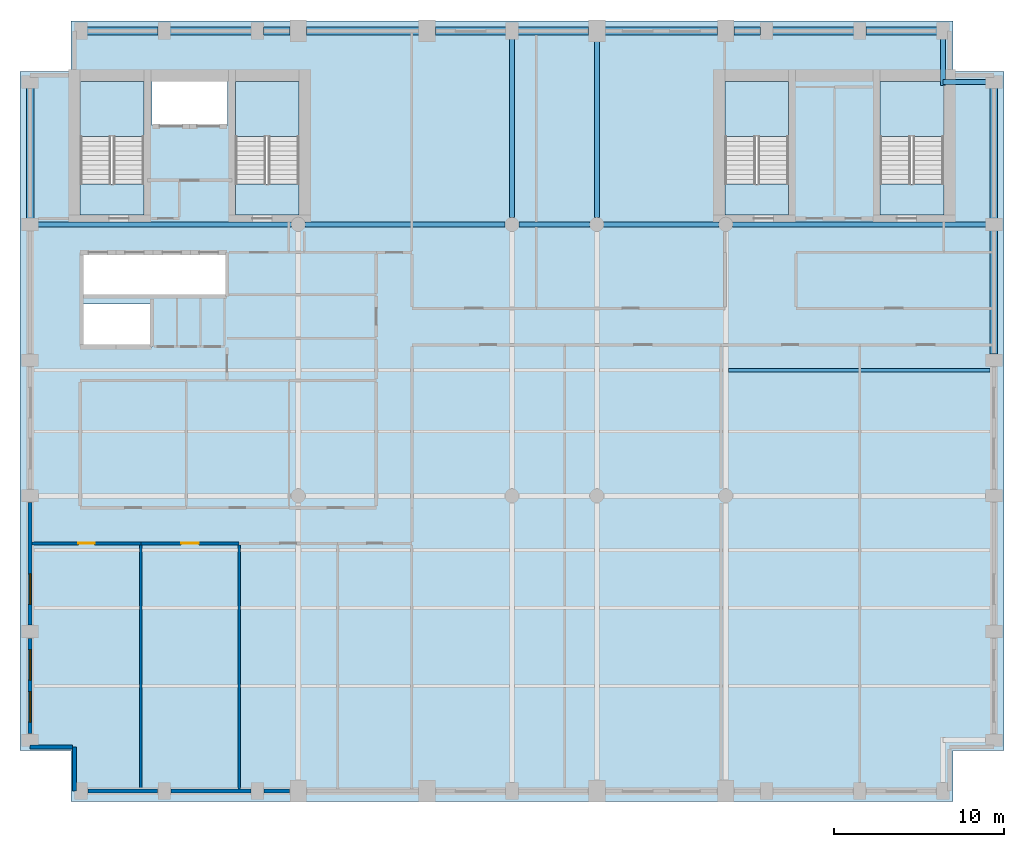
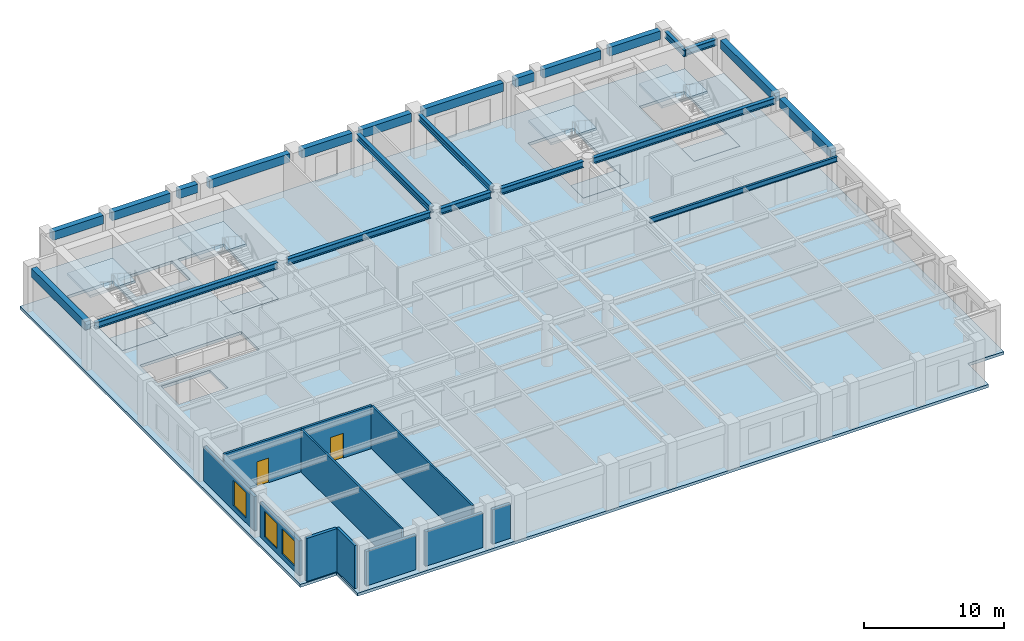
# One storey, part 2 of 8: 23 beams, 11 walls, 9 slabs, 3 windows, 2 doors, 5 openings, 4 elements without a shape of their own.
"""IFC4 building model written with IfcOpenShell, lengths in metres."""

from ifc_helpers import new_model, si_unit, direction, frame, frame_2d, origin, origin_2d, place, context, subcontext, project, spatial, polyline, rectangle, i_section, outline, extrude, material, layer, layer_set, material_profile, profile_set, type_object, element, fill, aggregate, save


model = new_model("IFC4")

# Units and contexts
model_context = context("Model", 3, precision=1e-05, world=origin(), true_north=direction((0.0, 1.0)))
body_context = subcontext(model_context, "Body", "Model", "MODEL_VIEW")
ifc_project = project(units=[si_unit("LENGTHUNIT", "METRE"), si_unit("AREAUNIT", "SQUARE_METRE"), si_unit("VOLUMEUNIT", "CUBIC_METRE"), si_unit("PLANEANGLEUNIT", "RADIAN"), si_unit("MASSUNIT", "GRAM", prefix="KILO")], contexts=[model_context])

# Site, building, storey
site_placement = place(None, origin())
site = spatial("IfcSite", under=ifc_project, at=site_placement, CompositionType="ELEMENT")
building_placement = place(site_placement, origin())
building = spatial("IfcBuilding", under=site, at=building_placement, Name="Sulina Concourse Tower", CompositionType="ELEMENT")
storey_placement = place(building_placement, frame((0.0, 0.0, 248.60009765625)))
storey = spatial("IfcBuildingStorey", under=building, at=storey_placement, Name="L60", CompositionType="ELEMENT", Elevation=248.60009765625)

# Beams
ifc_material_1 = material(Name="Steel S355", Category="steel")
ifc_material_profile_1 = material_profile(ifc_material_1, i_section(OverallWidth=0.18994140625, OverallDepth=0.449951171875, WebThickness=0.009521484375, FlangeThickness=0.0146484375, at=origin_2d()), Name="IPE 450")
ifc_profile_set_1 = profile_set([ifc_material_profile_1], Name="Steel S355")
beam_type_1 = type_object("IfcBeamType", Name="Composite Floor Joist IPE450", PredefinedType="JOIST", material=ifc_profile_set_1)
beam_1_placement = place(storey_placement, frame((41.75, 25.39990234375, 3.52490234375), z_axis=(1.0, 0.0, 0.0), x_axis=(0.0, 1.0, 0.0)))
element("IfcBeam", 1, at=beam_1_placement, inside=storey, type_object=beam_type_1, Name="FJ-J25-5-L60", PredefinedType="JOIST", context=body_context, shape_type="SweptSolid", body=[
    extrude(i_section(OverallWidth=0.18994140625, OverallDepth=0.449951171875, WebThickness=0.009521484375, FlangeThickness=0.0146484375, at=origin_2d()), origin(), (0.0, 0.0, 1.0), 15.425048828125),
])
ifc_material_2 = material(Name="Steel S355", Category="steel")
ifc_material_profile_2 = material_profile(ifc_material_2, i_section(OverallWidth=0.300048828125, OverallDepth=0.550048828125, WebThickness=0.014892578125, FlangeThickness=0.029052734375, at=origin_2d()), Name="HE 550 B")
ifc_profile_set_2 = profile_set([ifc_material_profile_2], Name="Steel S355")
beam_type_2 = type_object("IfcBeamType", Name="Floor Primary Girder Zone 4 HE550B", PredefinedType="BEAM", material=ifc_profile_set_2)
beam_2_placement = place(storey_placement, frame((54.39990234375, 42.39990234375, 3.474853515625), z_axis=(1.0, 0.0, 0.0), x_axis=(0.0, 1.0, 0.0)))
element("IfcBeam", 2, at=beam_2_placement, inside=storey, type_object=beam_type_2, Name="TIE-NE-L60", PredefinedType="BEAM", context=body_context, shape_type="SweptSolid", body=[
    extrude(i_section(OverallWidth=0.300048828125, OverallDepth=0.550048828125, WebThickness=0.014892578125, FlangeThickness=0.029052734375, at=origin_2d()), origin(), (0.0, 0.0, 1.0), 2.64501953125),
])
beam_3_placement = place(storey_placement, frame((54.39990234375, 42.199951171875, 3.474853515625), z_axis=(0.0, 1.0, 0.0), x_axis=(-1.0, 0.0, 0.0)))
element("IfcBeam", 3, at=beam_3_placement, inside=storey, type_object=beam_type_2, Name="TIE-NEN-L60", PredefinedType="BEAM", context=body_context, shape_type="SweptSolid", body=[
    extrude(i_section(OverallWidth=0.300048828125, OverallDepth=0.550048828125, WebThickness=0.014892578125, FlangeThickness=0.029052734375, at=origin_2d()), origin(), (0.0, 0.0, 1.0), 2.844970703125),
])
beam_4_placement = place(storey_placement, frame((0.955078125, 34.0, 3.474853515625), z_axis=(1.0, 0.0, 0.0), x_axis=(0.0, 1.0, 0.0)))
element("IfcBeam", 4, at=beam_4_placement, inside=storey, type_object=beam_type_2, Name="FG-EWN1-L60", PredefinedType="BEAM", context=body_context, shape_type="SweptSolid", body=[
    extrude(i_section(OverallWidth=0.300048828125, OverallDepth=0.550048828125, WebThickness=0.014892578125, FlangeThickness=0.029052734375, at=origin_2d()), origin(), (0.0, 0.0, 1.0), 15.0400390625),
])
beam_5_placement = place(storey_placement, frame((16.804931640625, 34.0, 3.474853515625), z_axis=(1.0, 0.0, 0.0), x_axis=(0.0, 1.0, 0.0)))
element("IfcBeam", 5, at=beam_5_placement, inside=storey, type_object=beam_type_2, Name="FG-EWN2-L60", PredefinedType="BEAM", context=body_context, shape_type="SweptSolid", body=[
    extrude(i_section(OverallWidth=0.300048828125, OverallDepth=0.550048828125, WebThickness=0.014892578125, FlangeThickness=0.029052734375, at=origin_2d()), origin(), (0.0, 0.0, 1.0), 11.7900390625),
])
beam_6_placement = place(storey_placement, frame((29.405029296875, 34.0, 3.474853515625), z_axis=(1.0, 0.0, 0.0), x_axis=(0.0, 1.0, 0.0)))
element("IfcBeam", 6, at=beam_6_placement, inside=storey, type_object=beam_type_2, Name="FG-EWN3-L60", PredefinedType="BEAM", context=body_context, shape_type="SweptSolid", body=[
    extrude(i_section(OverallWidth=0.300048828125, OverallDepth=0.550048828125, WebThickness=0.014892578125, FlangeThickness=0.029052734375, at=origin_2d()), origin(), (0.0, 0.0, 1.0), 4.18994140625),
])
beam_7_placement = place(storey_placement, frame((34.405029296875, 34.0, 3.474853515625), z_axis=(1.0, 0.0, 0.0), x_axis=(0.0, 1.0, 0.0)))
element("IfcBeam", 7, at=beam_7_placement, inside=storey, type_object=beam_type_2, Name="FG-EWN4-L60", PredefinedType="BEAM", context=body_context, shape_type="SweptSolid", body=[
    extrude(i_section(OverallWidth=0.300048828125, OverallDepth=0.550048828125, WebThickness=0.014892578125, FlangeThickness=0.029052734375, at=origin_2d()), origin(), (0.0, 0.0, 1.0), 6.7900390625),
])
beam_8_placement = place(storey_placement, frame((42.0048828125, 34.0, 3.474853515625), z_axis=(1.0, 0.0, 0.0), x_axis=(0.0, 1.0, 0.0)))
element("IfcBeam", 8, at=beam_8_placement, inside=storey, type_object=beam_type_2, Name="FG-EWN5-L60", PredefinedType="BEAM", context=body_context, shape_type="SweptSolid", body=[
    extrude(i_section(OverallWidth=0.300048828125, OverallDepth=0.550048828125, WebThickness=0.014892578125, FlangeThickness=0.029052734375, at=origin_2d()), origin(), (0.0, 0.0, 1.0), 15.0400390625),
])
beam_9_placement = place(storey_placement, frame((29.0, 34.405029296875, 3.474853515625), z_axis=(0.0, 1.0, 0.0), x_axis=(-1.0, 0.0, 0.0)))
element("IfcBeam", 9, at=beam_9_placement, inside=storey, type_object=beam_type_2, Name="FG-NSC-29-L60", PredefinedType="BEAM", context=body_context, shape_type="SweptSolid", body=[
    extrude(i_section(OverallWidth=0.300048828125, OverallDepth=0.550048828125, WebThickness=0.014892578125, FlangeThickness=0.029052734375, at=origin_2d()), origin(), (0.0, 0.0, 1.0), 10.639892578125),
])
beam_10_placement = place(storey_placement, frame((34.0, 34.405029296875, 3.474853515625), z_axis=(0.0, 1.0, 0.0), x_axis=(-1.0, 0.0, 0.0)))
element("IfcBeam", 10, at=beam_10_placement, inside=storey, type_object=beam_type_2, Name="FG-NSC-34-L60", PredefinedType="BEAM", context=body_context, shape_type="SweptSolid", body=[
    extrude(i_section(OverallWidth=0.300048828125, OverallDepth=0.550048828125, WebThickness=0.014892578125, FlangeThickness=0.029052734375, at=origin_2d()), origin(), (0.0, 0.0, 1.0), 10.514892578125),
])
ifc_material_3 = material(Name="Precast concrete C50/60", Category="concrete")
ifc_material_profile_3 = material_profile(ifc_material_3, rectangle(XDim=0.449951171875, YDim=0.75, at=origin_2d()), Name="RC 450x750")
ifc_profile_set_3 = profile_set([ifc_material_profile_3], Name="Precast concrete C50/60")
beam_type_3 = type_object("IfcBeamType", Name="Upper Precast Spandrel Edge Beam 450x750", PredefinedType="BEAM", material=ifc_profile_set_3)
beam_11_placement = place(storey_placement, frame((3.955078125, 45.39990234375, 3.375), z_axis=(1.0, 0.0, 0.0), x_axis=(0.0, 1.0, 0.0)))
element("IfcBeam", 11, at=beam_11_placement, inside=storey, type_object=beam_type_3, Name="SP-N1-L60", PredefinedType="BEAM", context=body_context, shape_type="SweptSolid", body=[
    extrude(rectangle(XDim=0.449951171875, YDim=0.75, at=origin_2d()), origin(), (0.0, 0.0, 1.0), 4.18994140625),
])
beam_12_placement = place(storey_placement, frame((8.85498046875, 45.39990234375, 3.375), z_axis=(1.0, 0.0, 0.0), x_axis=(0.0, 1.0, 0.0)))
element("IfcBeam", 12, at=beam_12_placement, inside=storey, type_object=beam_type_3, Name="SP-N2-L60", PredefinedType="BEAM", context=body_context, shape_type="SweptSolid", body=[
    extrude(rectangle(XDim=0.449951171875, YDim=0.75, at=origin_2d()), origin(), (0.0, 0.0, 1.0), 4.7900390625),
])
beam_13_placement = place(storey_placement, frame((14.35498046875, 45.39990234375, 3.375), z_axis=(1.0, 0.0, 0.0), x_axis=(0.0, 1.0, 0.0)))
element("IfcBeam", 13, at=beam_13_placement, inside=storey, type_object=beam_type_3, Name="SP-N3-L60", PredefinedType="BEAM", context=body_context, shape_type="SweptSolid", body=[
    extrude(rectangle(XDim=0.449951171875, YDim=0.75, at=origin_2d()), origin(), (0.0, 0.0, 1.0), 1.56494140625),
])
beam_14_placement = place(storey_placement, frame((16.8798828125, 45.39990234375, 3.375), z_axis=(1.0, 0.0, 0.0), x_axis=(0.0, 1.0, 0.0)))
element("IfcBeam", 14, at=beam_14_placement, inside=storey, type_object=beam_type_3, Name="SP-N4-L60", PredefinedType="BEAM", context=body_context, shape_type="SweptSolid", body=[
    extrude(rectangle(XDim=0.449951171875, YDim=0.75, at=origin_2d()), origin(), (0.0, 0.0, 1.0), 6.64013671875),
])
for number, where, z_axis, x_axis, name in (
    (15, (24.47998046875, 45.39990234375, 3.375), (1.0, 0.0, 0.0), (0.0, 1.0, 0.0), "SP-N5-L60"),
    (16, (29.35498046875, 45.39990234375, 3.375), (1.0, 0.0, 0.0), (0.0, 1.0, 0.0), "SP-N6-L60"),
):
    element("IfcBeam", number, at=place(storey_placement, frame(where, z_axis=z_axis, x_axis=x_axis)), inside=storey, type_object=beam_type_3, Name=name, PredefinedType="BEAM", context=body_context, shape_type="SweptSolid", body=[
        extrude(rectangle(XDim=0.449951171875, YDim=0.75, at=origin_2d()), origin(), (0.0, 0.0, 1.0), 4.1650390625),
    ])
beam_15_placement = place(storey_placement, frame((34.47998046875, 45.39990234375, 3.375), z_axis=(1.0, 0.0, 0.0), x_axis=(0.0, 1.0, 0.0)))
element("IfcBeam", 17, at=beam_15_placement, inside=storey, type_object=beam_type_3, Name="SP-N7-L60", PredefinedType="BEAM", context=body_context, shape_type="SweptSolid", body=[
    extrude(rectangle(XDim=0.449951171875, YDim=0.75, at=origin_2d()), origin(), (0.0, 0.0, 1.0), 6.64013671875),
])
beam_16_placement = place(storey_placement, frame((42.080078125, 45.39990234375, 3.375), z_axis=(1.0, 0.0, 0.0), x_axis=(0.0, 1.0, 0.0)))
element("IfcBeam", 18, at=beam_16_placement, inside=storey, type_object=beam_type_3, Name="SP-N8-L60", PredefinedType="BEAM", context=body_context, shape_type="SweptSolid", body=[
    extrude(rectangle(XDim=0.449951171875, YDim=0.75, at=origin_2d()), origin(), (0.0, 0.0, 1.0), 1.56494140625),
])
beam_17_placement = place(storey_placement, frame((44.35498046875, 45.39990234375, 3.375), z_axis=(1.0, 0.0, 0.0), x_axis=(0.0, 1.0, 0.0)))
element("IfcBeam", 19, at=beam_17_placement, inside=storey, type_object=beam_type_3, Name="SP-N9-L60", PredefinedType="BEAM", context=body_context, shape_type="SweptSolid", body=[
    extrude(rectangle(XDim=0.449951171875, YDim=0.75, at=origin_2d()), origin(), (0.0, 0.0, 1.0), 4.7900390625),
])
beam_18_placement = place(storey_placement, frame((49.85498046875, 45.39990234375, 3.375), z_axis=(1.0, 0.0, 0.0), x_axis=(0.0, 1.0, 0.0)))
element("IfcBeam", 20, at=beam_18_placement, inside=storey, type_object=beam_type_3, Name="SP-N10-L60", PredefinedType="BEAM", context=body_context, shape_type="SweptSolid", body=[
    extrude(rectangle(XDim=0.449951171875, YDim=0.75, at=origin_2d()), origin(), (0.0, 0.0, 1.0), 4.18994140625),
])
beam_19_placement = place(storey_placement, frame((0.60009765625, 34.35498046875, 3.375), z_axis=(0.0, 1.0, 0.0), x_axis=(-1.0, 0.0, 0.0)))
element("IfcBeam", 21, at=beam_19_placement, inside=storey, type_object=beam_type_3, Name="SP-W5-L60", PredefinedType="BEAM", context=body_context, shape_type="SweptSolid", body=[
    extrude(rectangle(XDim=0.449951171875, YDim=0.75, at=origin_2d()), origin(), (0.0, 0.0, 1.0), 7.68994140625),
])
beam_20_placement = place(storey_placement, frame((57.39990234375, 26.35498046875, 3.375), z_axis=(0.0, 1.0, 0.0), x_axis=(-1.0, 0.0, 0.0)))
element("IfcBeam", 22, at=beam_20_placement, inside=storey, type_object=beam_type_3, Name="SP-E4-L60", PredefinedType="BEAM", context=body_context, shape_type="SweptSolid", body=[
    extrude(rectangle(XDim=0.449951171875, YDim=0.75, at=origin_2d()), origin(), (0.0, 0.0, 1.0), 7.2900390625),
])
beam_21_placement = place(storey_placement, frame((57.39990234375, 34.35498046875, 3.375), z_axis=(0.0, 1.0, 0.0), x_axis=(-1.0, 0.0, 0.0)))
element("IfcBeam", 23, at=beam_21_placement, inside=storey, type_object=beam_type_3, Name="SP-E5-L60", PredefinedType="BEAM", context=body_context, shape_type="SweptSolid", body=[
    extrude(rectangle(XDim=0.449951171875, YDim=0.75, at=origin_2d()), origin(), (0.0, 0.0, 1.0), 7.68994140625),
])

# Slabs
ifc_material_4 = material(Name="Concrete C50/60", Category="concrete")
ifc_layer_1 = layer(ifc_material_4, 0.25)
ifc_layer_set_1 = layer_set([ifc_layer_1], Name="Concrete C50/60")
slab_type_1 = type_object("IfcSlabType", Name="High-Rise Composite Floor Slab 250mm", PredefinedType="FLOOR", material=ifc_layer_set_1)
slab_1_placement = place(storey_placement, frame((0.0, 0.0, -0.25)))
element("IfcSlab", 24, at=slab_1_placement, inside=storey, type_object=slab_type_1, Name="L60 structural floor slab", PredefinedType="FLOOR", context=body_context, shape_type="SweptSolid", body=[
    extrude(outline(polyline([(3.0, 0.0), (55.0, 0.0), (55.0, 3.0), (58.0, 3.0), (58.0, 43.0), (55.0, 43.0), (55.0, 46.0), (3.0, 46.0), (3.0, 43.0), (0.0, 43.0), (0.0, 3.0), (3.0, 3.0), (3.0, 0.0)]), holes=[polyline([(7.31005859375, 34.550048828125), (7.31005859375, 42.429931640625), (3.550048828125, 42.429931640625), (3.550048828125, 34.550048828125), (7.31005859375, 34.550048828125)]), polyline([(16.449951171875, 34.550048828125), (16.449951171875, 42.429931640625), (12.68994140625, 42.429931640625), (12.68994140625, 34.550048828125), (16.449951171875, 34.550048828125)]), polyline([(45.31005859375, 34.550048828125), (45.31005859375, 42.429931640625), (41.550048828125, 42.429931640625), (41.550048828125, 34.550048828125), (45.31005859375, 34.550048828125)]), polyline([(54.449951171875, 34.550048828125), (54.449951171875, 42.429931640625), (50.68994140625, 42.429931640625), (50.68994140625, 34.550048828125), (54.449951171875, 34.550048828125)]), polyline([(7.780029296875, 39.830078125), (12.219970703125, 39.830078125), (12.219970703125, 42.449951171875), (7.780029296875, 42.449951171875), (7.780029296875, 39.830078125)]), polyline([(3.739990234375, 26.780029296875), (7.77001953125, 26.780029296875), (7.77001953125, 29.320068359375), (3.739990234375, 29.320068359375), (3.739990234375, 26.780029296875)]), polyline([(3.739990234375, 29.780029296875), (12.10009765625, 29.780029296875), (12.10009765625, 32.3701171875), (3.739990234375, 32.3701171875), (3.739990234375, 29.780029296875)])]), origin(), (0.0, 0.0, 1.0), 0.25),
])
ifc_material_5 = material(Name="Concrete C50/60", Category="concrete")
ifc_layer_2 = layer(ifc_material_5, 0.199951171875)
ifc_layer_set_2 = layer_set([ifc_layer_2], Name="Concrete C50/60")
slab_type_2 = type_object("IfcSlabType", Name="Primary Core Stair Landing Slab 200mm", PredefinedType="LANDING", material=ifc_layer_set_2)
slab_2_placement = place(storey_placement, frame((0.0, 0.0, -0.2001953125)))
element("IfcSlab", 25, at=slab_2_placement, inside=storey, type_object=slab_type_2, Name="L60 ST-1 floor landing slab", PredefinedType="LANDING", context=body_context, shape_type="SweptSolid", body=[
    extrude(outline(polyline([(7.31005859375, 34.550048828125), (7.31005859375, 36.375), (3.550048828125, 36.375), (3.550048828125, 34.550048828125), (7.31005859375, 34.550048828125)])), origin(), (0.0, 0.0, 1.0), 0.2001953125),
])
slab_3_placement = place(storey_placement, frame((0.0, 0.0, -0.2001953125)))
element("IfcSlab", 26, at=slab_3_placement, inside=storey, type_object=slab_type_2, Name="L60 ST-2 floor landing slab", PredefinedType="LANDING", context=body_context, shape_type="SweptSolid", body=[
    extrude(outline(polyline([(16.449951171875, 34.550048828125), (16.449951171875, 36.375), (12.68994140625, 36.375), (12.68994140625, 34.550048828125), (16.449951171875, 34.550048828125)])), origin(), (0.0, 0.0, 1.0), 0.2001953125),
])
slab_4_placement = place(storey_placement, frame((0.0, 0.0, -0.2001953125)))
element("IfcSlab", 27, at=slab_4_placement, inside=storey, type_object=slab_type_2, Name="L60 ST-3 floor landing slab", PredefinedType="LANDING", context=body_context, shape_type="SweptSolid", body=[
    extrude(outline(polyline([(45.31005859375, 34.550048828125), (45.31005859375, 36.375), (41.550048828125, 36.375), (41.550048828125, 34.550048828125), (45.31005859375, 34.550048828125)])), origin(), (0.0, 0.0, 1.0), 0.2001953125),
])
slab_5_placement = place(storey_placement, frame((0.0, 0.0, -0.2001953125)))
element("IfcSlab", 28, at=slab_5_placement, inside=storey, type_object=slab_type_2, Name="L60 ST-4 floor landing slab", PredefinedType="LANDING", context=body_context, shape_type="SweptSolid", body=[
    extrude(outline(polyline([(54.449951171875, 34.550048828125), (54.449951171875, 36.375), (50.68994140625, 36.375), (50.68994140625, 34.550048828125), (54.449951171875, 34.550048828125)])), origin(), (0.0, 0.0, 1.0), 0.2001953125),
])

# Stair, slab
ifc_material_6 = material(Name="Concrete C50/60", Category="concrete")
stair_type_1 = type_object("IfcStairType", Name="Primary Core Dog-Leg Exit Stair 1800mm", PredefinedType="HALF_TURN_STAIR", material=ifc_material_6)
stair_1_placement = place(storey_placement, origin())
stair_1 = element("IfcStair", 29, at=stair_1_placement, inside=storey, type_object=stair_type_1, Name="L60 ST-1", PredefinedType="HALF_TURN_STAIR")
slab_6_placement = place(storey_placement, frame((0.0, 0.0, 1.7998046875)))
slab_6 = element("IfcSlab", 30, at=slab_6_placement, type_object=slab_type_2, Name="ST-1 landing 1", PredefinedType="LANDING", context=body_context, shape_type="SweptSolid", body=[
    extrude(outline(polyline([(7.304931640625, 39.175048828125), (7.304931640625, 42.425048828125), (3.554931640625, 42.425048828125), (3.554931640625, 39.175048828125), (7.304931640625, 39.175048828125)])), origin(), (0.0, 0.0, 1.0), 0.2001953125),
])
aggregate(stair_1, [slab_6])

stair_2_placement = place(storey_placement, origin())
stair_2 = element("IfcStair", 31, at=stair_2_placement, inside=storey, type_object=stair_type_1, Name="L60 ST-2", PredefinedType="HALF_TURN_STAIR")
slab_7_placement = place(storey_placement, frame((0.0, 0.0, 1.7998046875)))
slab_7 = element("IfcSlab", 32, at=slab_7_placement, type_object=slab_type_2, Name="ST-2 landing 1", PredefinedType="LANDING", context=body_context, shape_type="SweptSolid", body=[
    extrude(outline(polyline([(16.445068359375, 39.175048828125), (16.445068359375, 42.425048828125), (12.695068359375, 42.425048828125), (12.695068359375, 39.175048828125), (16.445068359375, 39.175048828125)])), origin(), (0.0, 0.0, 1.0), 0.2001953125),
])
aggregate(stair_2, [slab_7])

ifc_material_7 = material(Name="Concrete C50/60", Category="concrete")
stair_type_2 = type_object("IfcStairType", Name="Portal & Podium Core Exit Stair 1820mm", PredefinedType="HALF_TURN_STAIR", material=ifc_material_7)
stair_3_placement = place(storey_placement, origin())
stair_3 = element("IfcStair", 33, at=stair_3_placement, inside=storey, type_object=stair_type_2, Name="L60 ST-3", PredefinedType="HALF_TURN_STAIR")
slab_8_placement = place(storey_placement, frame((0.0, 0.0, 1.7998046875)))
slab_8 = element("IfcSlab", 34, at=slab_8_placement, type_object=slab_type_2, Name="ST-3 landing 1", PredefinedType="LANDING", context=body_context, shape_type="SweptSolid", body=[
    extrude(outline(polyline([(45.304931640625, 39.175048828125), (45.304931640625, 42.425048828125), (41.554931640625, 42.425048828125), (41.554931640625, 39.175048828125), (45.304931640625, 39.175048828125)])), origin(), (0.0, 0.0, 1.0), 0.2001953125),
])
aggregate(stair_3, [slab_8])

stair_4_placement = place(storey_placement, origin())
stair_4 = element("IfcStair", 35, at=stair_4_placement, inside=storey, type_object=stair_type_2, Name="L60 ST-4", PredefinedType="HALF_TURN_STAIR")
slab_9_placement = place(storey_placement, frame((0.0, 0.0, 1.7998046875)))
slab_9 = element("IfcSlab", 36, at=slab_9_placement, type_object=slab_type_2, Name="ST-4 landing 1", PredefinedType="LANDING", context=body_context, shape_type="SweptSolid", body=[
    extrude(outline(polyline([(54.445068359375, 39.175048828125), (54.445068359375, 42.425048828125), (50.695068359375, 42.425048828125), (50.695068359375, 39.175048828125), (54.445068359375, 39.175048828125)])), origin(), (0.0, 0.0, 1.0), 0.2001953125),
])
aggregate(stair_4, [slab_9])

# Walls
ifc_material_8 = material(Name="Precast concrete C50/60", Category="concrete")
ifc_layer_3 = layer(ifc_material_8, 0.239990234375)
ifc_layer_set_3 = layer_set([ifc_layer_3], Name="Precast concrete C50/60")
wall_type_1 = type_object("IfcWallType", Name="Crown Precast Masonry-Frame Facade Wall 240mm", PredefinedType="SOLIDWALL", material=ifc_layer_set_3)
wall_1_placement = place(storey_placement, frame((8.10498046875, 0.60009765625, 0.0), z_axis=(0.0, 0.0, 1.0), x_axis=(-1.0, 0.0, 0.0)))
element("IfcWall", 37, at=wall_1_placement, inside=storey, type_object=wall_type_1, Name="L60 exterior precast wall S1", PredefinedType="SOLIDWALL", context=body_context, shape_type="SweptSolid", body=[
    extrude(rectangle(XDim=4.10986328125, YDim=0.239990234375, at=frame_2d((2.054931640625, 0.0))), origin(), (0.0, 0.0, 1.0), 3.0),
])
wall_2_placement = place(storey_placement, frame((13.60498046875, 0.60009765625, 0.0), z_axis=(0.0, 0.0, 1.0), x_axis=(-1.0, 0.0, 0.0)))
element("IfcWall", 38, at=wall_2_placement, inside=storey, type_object=wall_type_1, Name="L60 exterior precast wall S2", PredefinedType="SOLIDWALL", context=body_context, shape_type="SweptSolid", body=[
    extrude(rectangle(XDim=4.7099609375, YDim=0.239990234375, at=frame_2d((2.35498046875, 0.0))), origin(), (0.0, 0.0, 1.0), 3.0),
])
wall_3_placement = place(storey_placement, frame((15.8798828125, 0.60009765625, 0.0), z_axis=(0.0, 0.0, 1.0), x_axis=(-1.0, 0.0, 0.0)))
element("IfcWall", 39, at=wall_3_placement, inside=storey, type_object=wall_type_1, Name="L60 exterior precast wall S3", PredefinedType="SOLIDWALL", context=body_context, shape_type="SweptSolid", body=[
    extrude(rectangle(XDim=1.48486328125, YDim=0.239990234375, at=frame_2d((0.742431640625, 0.0))), origin(), (0.0, 0.0, 1.0), 3.0),
])

# Wall, openings, windows
wall_4_placement = place(storey_placement, frame((0.60009765625, 3.9951171875, 0.0), z_axis=(0.0, 0.0, 1.0), x_axis=(0.0, 1.0, 0.0)))
wall_4 = element("IfcWall", 40, at=wall_4_placement, inside=storey, type_object=wall_type_1, Name="L60 exterior precast wall W1", PredefinedType="SOLIDWALL", context=body_context, shape_type="SweptSolid", body=[
    extrude(rectangle(XDim=5.60986328125, YDim=0.239990234375, at=frame_2d((2.804931640625, 0.0))), origin(), (0.0, 0.0, 1.0), 3.0),
])
opening_1_placement = place(wall_4_placement, frame((0.669921875, 0.0, 0.419921875)))
opening_1 = element("IfcOpeningElement", 41, at=opening_1_placement, cuts=wall_4, Name="Opening WN-25", PredefinedType="OPENING", context=body_context, shape_type="SweptSolid", body=[
    extrude(rectangle(XDim=1.800048828125, YDim=2.199951171875, at=frame_2d((0.89990234375, 1.10009765625))), frame((0.0, 0.1298828125, 0.0), z_axis=(0.0, -1.0, 0.0), x_axis=(1.0, 0.0, 0.0)), (0.0, 0.0, 1.0), 0.260009765625),
])
opening_2_placement = place(wall_4_placement, frame((3.139892578125, 0.0, 0.419921875)))
opening_2 = element("IfcOpeningElement", 42, at=opening_2_placement, cuts=wall_4, Name="Opening WN-25", PredefinedType="OPENING", context=body_context, shape_type="SweptSolid", body=[
    extrude(rectangle(XDim=1.800048828125, YDim=2.199951171875, at=frame_2d((0.89990234375, 1.10009765625))), frame((0.0, 0.1298828125, 0.0), z_axis=(0.0, -1.0, 0.0), x_axis=(1.0, 0.0, 0.0)), (0.0, 0.0, 1.0), 0.260009765625),
])
ifc_material_9 = material(Name="Low-E solar double glazing in bronze aluminium", Category="aluminium")
window_type = type_object("IfcWindowType", Name="Punched Masonry-Frame Window 1800x2200", PartitioningType="SINGLE_PANEL", PredefinedType="WINDOW", material=ifc_material_9)
window_1_placement = place(opening_1_placement, origin())
window_1 = element("IfcWindow", 43, at=window_1_placement, inside=storey, type_object=window_type, Name="L60 punched window W1-1", OverallHeight=2.199951171875, OverallWidth=1.800048828125, PartitioningType="SINGLE_PANEL", PredefinedType="WINDOW", context=body_context, shape_type="SweptSolid", body=[
    extrude(rectangle(XDim=1.800048828125, YDim=2.199951171875, at=frame_2d((0.89990234375, 1.10009765625))), frame((0.0, 0.030029296875, 0.0), z_axis=(0.0, -1.0, 0.0), x_axis=(1.0, 0.0, 0.0)), (0.0, 0.0, 1.0), 0.06005859375),
])
fill(opening_1, window_1)
window_2_placement = place(opening_2_placement, origin())
window_2 = element("IfcWindow", 44, at=window_2_placement, inside=storey, type_object=window_type, Name="L60 punched window W1-2", OverallHeight=2.199951171875, OverallWidth=1.800048828125, PartitioningType="SINGLE_PANEL", PredefinedType="WINDOW", context=body_context, shape_type="SweptSolid", body=[
    extrude(rectangle(XDim=1.800048828125, YDim=2.199951171875, at=frame_2d((0.89990234375, 1.10009765625))), frame((0.0, 0.030029296875, 0.0), z_axis=(0.0, -1.0, 0.0), x_axis=(1.0, 0.0, 0.0)), (0.0, 0.0, 1.0), 0.06005859375),
])
fill(opening_2, window_2)

# Wall, opening, window
wall_5_placement = place(storey_placement, frame((0.60009765625, 10.39501953125, 0.0), z_axis=(0.0, 0.0, 1.0), x_axis=(0.0, 1.0, 0.0)))
wall_5 = element("IfcWall", 45, at=wall_5_placement, inside=storey, type_object=wall_type_1, Name="L60 exterior precast wall W2", PredefinedType="SOLIDWALL", context=body_context, shape_type="SweptSolid", body=[
    extrude(rectangle(XDim=7.2099609375, YDim=0.239990234375, at=frame_2d((3.60498046875, 0.0))), origin(), (0.0, 0.0, 1.0), 3.0),
])
opening_3_placement = place(wall_5_placement, frame((1.203369140625, 0.0, 0.419921875)))
opening_3 = element("IfcOpeningElement", 46, at=opening_3_placement, cuts=wall_5, Name="Opening WN-25", PredefinedType="OPENING", context=body_context, shape_type="SweptSolid", body=[
    extrude(rectangle(XDim=1.800048828125, YDim=2.199951171875, at=frame_2d((0.89990234375, 1.10009765625))), frame((0.0, 0.1298828125, 0.0), z_axis=(0.0, -1.0, 0.0), x_axis=(1.0, 0.0, 0.0)), (0.0, 0.0, 1.0), 0.260009765625),
])
window_3_placement = place(opening_3_placement, origin())
window_3 = element("IfcWindow", 47, at=window_3_placement, inside=storey, type_object=window_type, Name="L60 punched window W2-1", OverallHeight=2.199951171875, OverallWidth=1.800048828125, PartitioningType="SINGLE_PANEL", PredefinedType="WINDOW", context=body_context, shape_type="SweptSolid", body=[
    extrude(rectangle(XDim=1.800048828125, YDim=2.199951171875, at=frame_2d((0.89990234375, 1.10009765625))), frame((0.0, 0.030029296875, 0.0), z_axis=(0.0, -1.0, 0.0), x_axis=(1.0, 0.0, 0.0)), (0.0, 0.0, 1.0), 0.06005859375),
])
fill(opening_3, window_3)

# Walls
wall_6_placement = place(storey_placement, frame((3.205078125, 0.60009765625, 0.0), z_axis=(0.0, 0.0, 1.0), x_axis=(0.0, 1.0, 0.0)))
element("IfcWall", 48, at=wall_6_placement, inside=storey, type_object=wall_type_1, Name="L60 exterior precast wall CSW1", PredefinedType="SOLIDWALL", context=body_context, shape_type="SweptSolid", body=[
    extrude(rectangle(XDim=2.60498046875, YDim=0.239990234375, at=frame_2d((1.302490234375, 0.0))), origin(), (0.0, 0.0, 1.0), 3.75),
])
wall_7_placement = place(storey_placement, frame((3.080078125, 3.205078125, 0.0), z_axis=(0.0, 0.0, 1.0), x_axis=(-1.0, 0.0, 0.0)))
element("IfcWall", 49, at=wall_7_placement, inside=storey, type_object=wall_type_1, Name="L60 exterior precast wall CSW2", PredefinedType="SOLIDWALL", context=body_context, shape_type="SweptSolid", body=[
    extrude(rectangle(XDim=2.47998046875, YDim=0.239990234375, at=frame_2d((1.239990234375, 0.0))), origin(), (0.0, 0.0, 1.0), 3.75),
])
ifc_material_10 = material(Name="Gypsum board on steel stud", Category="steel")
ifc_layer_4 = layer(ifc_material_10, 0.14990234375)
ifc_layer_set_4 = layer_set([ifc_layer_4], Name="Gypsum board on steel stud")
wall_type_2 = type_object("IfcWallType", Name="Inter-Tenancy Acoustic Partition 150mm", PredefinedType="PARTITIONING", material=ifc_layer_set_4)
for number, where, z_axis, x_axis, name in (
    (50, (7.1201171875, 0.719970703125, 0.0), (0.0, 0.0, 1.0), (0.0, 1.0, 0.0), "L60 interior partition 035"),
    (51, (12.919921875, 0.719970703125, 0.0), (0.0, 0.0, 1.0), (0.0, 1.0, 0.0), "L60 interior partition 042"),
):
    element("IfcWall", number, at=place(storey_placement, frame(where, z_axis=z_axis, x_axis=x_axis)), inside=storey, type_object=wall_type_2, Name=name, PredefinedType="PARTITIONING", context=body_context, shape_type="SweptSolid", body=[
        extrude(rectangle(XDim=14.39013671875, YDim=0.14990234375, at=frame_2d((7.195068359375, 0.0))), origin(), (0.0, 0.0, 1.0), 3.75),
    ])

# Wall, opening, door
ifc_material_11 = material(Name="Gypsum board on steel stud", Category="steel")
ifc_layer_5 = layer(ifc_material_11, 0.179931640625)
ifc_layer_set_5 = layer_set([ifc_layer_5], Name="Gypsum board on steel stud")
wall_type_3 = type_object("IfcWallType", Name="Protected Corridor & Riser Partition 180mm", PredefinedType="PARTITIONING", material=ifc_layer_set_5)
wall_8_placement = place(storey_placement, frame((0.719970703125, 15.199951171875, 0.0), z_axis=(0.0, 0.0, 1.0), x_axis=(1.0, 0.0, 0.0)))
wall_8 = element("IfcWall", 52, at=wall_8_placement, inside=storey, type_object=wall_type_3, Name="L60 interior partition 001", PredefinedType="PARTITIONING", context=body_context, shape_type="SweptSolid", body=[
    extrude(rectangle(XDim=6.400146484375, YDim=0.179931640625, at=frame_2d((3.2001953125, 0.0))), origin(), (0.0, 0.0, 1.0), 3.75),
])
opening_4_placement = place(wall_8_placement, frame((2.72509765625, 0.0, 0.0)))
opening_4 = element("IfcOpeningElement", 53, at=opening_4_placement, cuts=wall_8, Name="Opening DR-19", PredefinedType="OPENING", context=body_context, shape_type="SweptSolid", body=[
    extrude(rectangle(XDim=0.949951171875, YDim=2.14990234375, at=frame_2d((0.47509765625, 1.074951171875))), frame((0.0, 0.099853515625, 0.0), z_axis=(0.0, -1.0, 0.0), x_axis=(1.0, 0.0, 0.0)), (0.0, 0.0, 1.0), 0.199951171875),
])
ifc_material_12 = material(Name="Oak-veneered acoustic timber leaf", Category="wood")
ifc_layer_6 = layer(ifc_material_12, 0.050048828125)
ifc_layer_set_6 = layer_set([ifc_layer_6], Name="Oak-veneered acoustic timber leaf")
door_type_1 = type_object("IfcDoorType", Name="Cellular Office & Meeting Door 950x2150", OperationType="NOTDEFINED", PredefinedType="DOOR", material=ifc_layer_set_6)
door_1_placement = place(opening_4_placement, origin())
door_1 = element("IfcDoor", 54, at=door_1_placement, inside=storey, type_object=door_type_1, Name="L60 interior door L60-S01", OperationType="SINGLE_SWING_LEFT", OverallHeight=2.14990234375, OverallWidth=0.949951171875, PredefinedType="DOOR", context=body_context, shape_type="SweptSolid", body=[
    extrude(rectangle(XDim=0.949951171875, YDim=2.14990234375, at=frame_2d((0.47509765625, 1.074951171875))), frame((0.0, 0.02490234375, 0.0), z_axis=(0.0, -1.0, 0.0), x_axis=(1.0, 0.0, 0.0)), (0.0, 0.0, 1.0), 0.050048828125),
])
fill(opening_4, door_1)

wall_9_placement = place(storey_placement, frame((7.1201171875, 15.199951171875, 0.0), z_axis=(0.0, 0.0, 1.0), x_axis=(1.0, 0.0, 0.0)))
wall_9 = element("IfcWall", 55, at=wall_9_placement, inside=storey, type_object=wall_type_3, Name="L60 interior partition 002", PredefinedType="PARTITIONING", context=body_context, shape_type="SweptSolid", body=[
    extrude(rectangle(XDim=5.7998046875, YDim=0.179931640625, at=frame_2d((2.89990234375, 0.0))), origin(), (0.0, 0.0, 1.0), 3.75),
])
opening_5_placement = place(wall_9_placement, frame((2.375, 0.0, 0.0)))
opening_5 = element("IfcOpeningElement", 56, at=opening_5_placement, cuts=wall_9, Name="Opening DR-37", PredefinedType="OPENING", context=body_context, shape_type="SweptSolid", body=[
    extrude(rectangle(XDim=1.050048828125, YDim=2.14990234375, at=frame_2d((0.52490234375, 1.074951171875))), frame((0.0, 0.099853515625, 0.0), z_axis=(0.0, -1.0, 0.0), x_axis=(1.0, 0.0, 0.0)), (0.0, 0.0, 1.0), 0.199951171875),
])
ifc_material_13 = material(Name="Oak-veneered fire door leaf")
ifc_layer_7 = layer(ifc_material_13, 0.050048828125)
ifc_layer_set_7 = layer_set([ifc_layer_7], Name="Oak-veneered fire door leaf")
door_type_2 = type_object("IfcDoorType", Name="Tenant Suite Entrance Fire Door 1050x2150", OperationType="NOTDEFINED", PredefinedType="DOOR", material=ifc_layer_set_7)
door_2_placement = place(opening_5_placement, origin())
door_2 = element("IfcDoor", 57, at=door_2_placement, inside=storey, type_object=door_type_2, Name="L60 interior door L60-S02", OperationType="SINGLE_SWING_RIGHT", OverallHeight=2.14990234375, OverallWidth=1.050048828125, PredefinedType="DOOR", context=body_context, shape_type="SweptSolid", body=[
    extrude(rectangle(XDim=1.050048828125, YDim=2.14990234375, at=frame_2d((0.52490234375, 1.074951171875))), frame((0.0, 0.02490234375, 0.0), z_axis=(0.0, -1.0, 0.0), x_axis=(1.0, 0.0, 0.0)), (0.0, 0.0, 1.0), 0.050048828125),
])
fill(opening_5, door_2)

save(model, "model.ifc")
